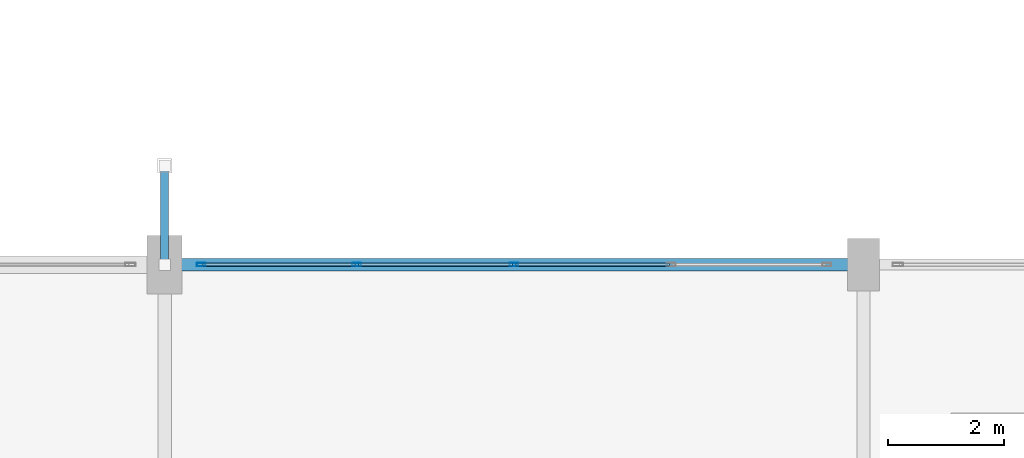
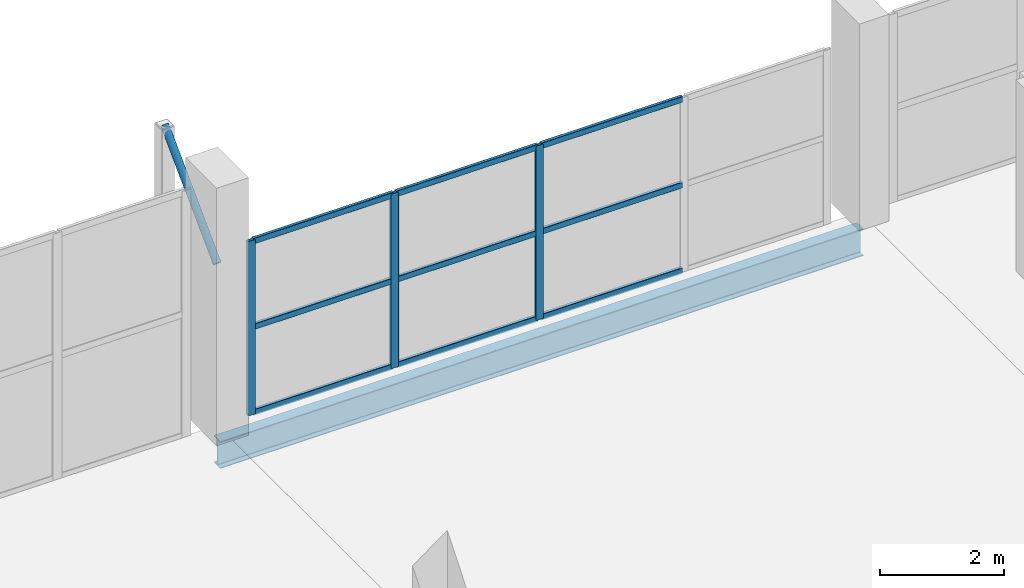
# One storey, part 66 of 127: 13 members, 1 beam, 1 element without a shape of its own.
"""IFC4 building model written with IfcOpenShell, lengths in metres."""

from ifc_helpers import new_model, si_unit, direction, frame, origin, origin_2d, place, context, subcontext, project, spatial, hollow_rectangle, hollow_circle, i_section, extrude, material, layer, layer_set, material_profile, profile_set, type_object, element, aggregate, save


model = new_model("IFC4")

# Units and contexts
model_context = context("Model", 3, precision=1e-05, world=origin(), true_north=direction((0.0, 1.0)))
body_context = subcontext(model_context, "Body", "Model", "MODEL_VIEW")
ifc_project = project(units=[si_unit("LENGTHUNIT", "METRE"), si_unit("AREAUNIT", "SQUARE_METRE"), si_unit("VOLUMEUNIT", "CUBIC_METRE"), si_unit("PLANEANGLEUNIT", "RADIAN"), si_unit("MASSUNIT", "GRAM", prefix="KILO")], contexts=[model_context])

# Site, building, storey
site_placement = place(None, origin())
site = spatial("IfcSite", under=ifc_project, at=site_placement, CompositionType="ELEMENT")
building_placement = place(site_placement, origin())
building = spatial("IfcBuilding", under=site, at=building_placement, Name="Dunvalen Ferry Terminal", CompositionType="ELEMENT")
storey_placement = place(building_placement, frame((0.0, 0.0, 5.760009765625)))
storey = spatial("IfcBuildingStorey", under=building, at=storey_placement, Name="L01", CompositionType="ELEMENT", Elevation=5.760009765625)

# Curtain wall, members
ifc_material_1 = material(Name="Anodised marine aluminium and solar-control glazing", Category="aluminium")
ifc_layer = layer(ifc_material_1, 0.159912109375, Name="Anodised marine aluminium and solar-control glazing")
ifc_layer_set = layer_set([ifc_layer], Name="Anodised marine aluminium and solar-control glazing")
curtain_wall_type = type_object("IfcCurtainWallType", Name="ENV-CW-SYS-09", PredefinedType="NOTDEFINED", material=ifc_layer_set)
curtain_wall_placement = place(storey_placement, origin())
curtain_wall = element("IfcCurtainWall", 1, at=curtain_wall_placement, inside=storey, type_object=curtain_wall_type, Name="L01 Curtain Wall CW-LNK12-2", PredefinedType="NOTDEFINED")
ifc_material_2 = material(Name="Anodised marine aluminium EN AW-6063 T6", Category="aluminium")
ifc_material_profile_1 = material_profile(ifc_material_2, hollow_rectangle(XDim=0.06005859375, YDim=0.14990234375, WallThickness=0.00341796875, InnerFilletRadius=0.00341796875, OuterFilletRadius=0.007080078125, at=origin_2d()), Name="Anodised marine aluminium EN AW-6063 T6")
ifc_profile_set_1 = profile_set([ifc_material_profile_1], Name="Anodised marine aluminium EN AW-6063 T6")
member_type_1 = type_object("IfcMemberType", Name="ENV-CW-MUL-3", PredefinedType="MULLION", material=ifc_profile_set_1)
member_1_placement = place(storey_placement, frame((96.6298828125, 86.39990234375, 0.0), z_axis=(0.0, 0.0, 1.0), x_axis=(0.0, 1.0, 0.0)))
member_1 = element("IfcMember", 2, at=member_1_placement, type_object=member_type_1, Name="CW-09 mullion 1", PredefinedType="MULLION", context=body_context, shape_type="SweptSolid", body=[
    extrude(hollow_rectangle(XDim=0.06005859375, YDim=0.14990234375, WallThickness=0.00341796875, InnerFilletRadius=0.00341796875, OuterFilletRadius=0.007080078125, at=origin_2d()), origin(), (0.0, 0.0, 1.0), 3.43994140625),
])
member_2_placement = place(storey_placement, frame((99.300048828125, 86.39990234375, 0.0), z_axis=(0.0, 0.0, 1.0), x_axis=(0.0, 1.0, 0.0)))
member_2 = element("IfcMember", 3, at=member_2_placement, type_object=member_type_1, Name="CW-09 mullion 2", PredefinedType="MULLION", context=body_context, shape_type="SweptSolid", body=[
    extrude(hollow_rectangle(XDim=0.06005859375, YDim=0.14990234375, WallThickness=0.00341796875, InnerFilletRadius=0.00341796875, OuterFilletRadius=0.007080078125, at=origin_2d()), origin(), (0.0, 0.0, 1.0), 3.43994140625),
])
member_3_placement = place(storey_placement, frame((102.0, 86.39990234375, 0.0), z_axis=(0.0, 0.0, 1.0), x_axis=(0.0, 1.0, 0.0)))
member_3 = element("IfcMember", 4, at=member_3_placement, type_object=member_type_1, Name="CW-09 mullion 3", PredefinedType="MULLION", context=body_context, shape_type="SweptSolid", body=[
    extrude(hollow_rectangle(XDim=0.06005859375, YDim=0.14990234375, WallThickness=0.00341796875, InnerFilletRadius=0.00341796875, OuterFilletRadius=0.007080078125, at=origin_2d()), origin(), (0.0, 0.0, 1.0), 3.43994140625),
])
ifc_material_profile_2 = material_profile(ifc_material_2, hollow_rectangle(XDim=0.06005859375, YDim=0.114990234375, WallThickness=0.0029296875, InnerFilletRadius=0.0029296875, OuterFilletRadius=0.006103515625, at=origin_2d()), Name="Anodised marine aluminium EN AW-6063 T6")
ifc_profile_set_2 = profile_set([ifc_material_profile_2], Name="Anodised marine aluminium EN AW-6063 T6")
member_type_2 = type_object("IfcMemberType", Name="ENV-CW-TRN-3", PredefinedType="USERDEFINED", material=ifc_profile_set_2)
member_4_placement = place(storey_placement, frame((96.659912109375, 86.39990234375, 0.030029296875), z_axis=(1.0, 0.0, 0.0), x_axis=(0.0, 1.0, 0.0)))
member_4 = element("IfcMember", 5, at=member_4_placement, type_object=member_type_2, Name="CW-09 transom 1.1", ObjectType="TRANSOM", PredefinedType="USERDEFINED", context=body_context, shape_type="SweptSolid", body=[
    extrude(hollow_rectangle(XDim=0.06005859375, YDim=0.114990234375, WallThickness=0.0029296875, InnerFilletRadius=0.0029296875, OuterFilletRadius=0.006103515625, at=origin_2d()), origin(), (0.0, 0.0, 1.0), 2.610107421875),
])
member_5_placement = place(storey_placement, frame((96.659912109375, 86.39990234375, 1.719970703125), z_axis=(1.0, 0.0, 0.0), x_axis=(0.0, 1.0, 0.0)))
member_5 = element("IfcMember", 6, at=member_5_placement, type_object=member_type_2, Name="CW-09 transom 1.2", ObjectType="TRANSOM", PredefinedType="USERDEFINED", context=body_context, shape_type="SweptSolid", body=[
    extrude(hollow_rectangle(XDim=0.06005859375, YDim=0.114990234375, WallThickness=0.0029296875, InnerFilletRadius=0.0029296875, OuterFilletRadius=0.006103515625, at=origin_2d()), origin(), (0.0, 0.0, 1.0), 2.610107421875),
])
member_6_placement = place(storey_placement, frame((96.659912109375, 86.39990234375, 3.409912109375), z_axis=(1.0, 0.0, 0.0), x_axis=(0.0, 1.0, 0.0)))
member_6 = element("IfcMember", 7, at=member_6_placement, type_object=member_type_2, Name="CW-09 transom 1.3", ObjectType="TRANSOM", PredefinedType="USERDEFINED", context=body_context, shape_type="SweptSolid", body=[
    extrude(hollow_rectangle(XDim=0.06005859375, YDim=0.114990234375, WallThickness=0.0029296875, InnerFilletRadius=0.0029296875, OuterFilletRadius=0.006103515625, at=origin_2d()), origin(), (0.0, 0.0, 1.0), 2.610107421875),
])
member_7_placement = place(storey_placement, frame((99.330078125, 86.39990234375, 0.030029296875), z_axis=(1.0, 0.0, 0.0), x_axis=(0.0, 1.0, 0.0)))
member_7 = element("IfcMember", 8, at=member_7_placement, type_object=member_type_2, Name="CW-09 transom 2.1", ObjectType="TRANSOM", PredefinedType="USERDEFINED", context=body_context, shape_type="SweptSolid", body=[
    extrude(hollow_rectangle(XDim=0.06005859375, YDim=0.114990234375, WallThickness=0.0029296875, InnerFilletRadius=0.0029296875, OuterFilletRadius=0.006103515625, at=origin_2d()), origin(), (0.0, 0.0, 1.0), 2.639892578125),
])
member_8_placement = place(storey_placement, frame((99.330078125, 86.39990234375, 1.719970703125), z_axis=(1.0, 0.0, 0.0), x_axis=(0.0, 1.0, 0.0)))
member_8 = element("IfcMember", 9, at=member_8_placement, type_object=member_type_2, Name="CW-09 transom 2.2", ObjectType="TRANSOM", PredefinedType="USERDEFINED", context=body_context, shape_type="SweptSolid", body=[
    extrude(hollow_rectangle(XDim=0.06005859375, YDim=0.114990234375, WallThickness=0.0029296875, InnerFilletRadius=0.0029296875, OuterFilletRadius=0.006103515625, at=origin_2d()), origin(), (0.0, 0.0, 1.0), 2.639892578125),
])
member_9_placement = place(storey_placement, frame((99.330078125, 86.39990234375, 3.409912109375), z_axis=(1.0, 0.0, 0.0), x_axis=(0.0, 1.0, 0.0)))
member_9 = element("IfcMember", 10, at=member_9_placement, type_object=member_type_2, Name="CW-09 transom 2.3", ObjectType="TRANSOM", PredefinedType="USERDEFINED", context=body_context, shape_type="SweptSolid", body=[
    extrude(hollow_rectangle(XDim=0.06005859375, YDim=0.114990234375, WallThickness=0.0029296875, InnerFilletRadius=0.0029296875, OuterFilletRadius=0.006103515625, at=origin_2d()), origin(), (0.0, 0.0, 1.0), 2.639892578125),
])
member_10_placement = place(storey_placement, frame((102.030029296875, 86.39990234375, 0.030029296875), z_axis=(1.0, 0.0, 0.0), x_axis=(0.0, 1.0, 0.0)))
member_10 = element("IfcMember", 11, at=member_10_placement, type_object=member_type_2, Name="CW-09 transom 3.1", ObjectType="TRANSOM", PredefinedType="USERDEFINED", context=body_context, shape_type="SweptSolid", body=[
    extrude(hollow_rectangle(XDim=0.06005859375, YDim=0.114990234375, WallThickness=0.0029296875, InnerFilletRadius=0.0029296875, OuterFilletRadius=0.006103515625, at=origin_2d()), origin(), (0.0, 0.0, 1.0), 2.639892578125),
])
member_11_placement = place(storey_placement, frame((102.030029296875, 86.39990234375, 1.719970703125), z_axis=(1.0, 0.0, 0.0), x_axis=(0.0, 1.0, 0.0)))
member_11 = element("IfcMember", 12, at=member_11_placement, type_object=member_type_2, Name="CW-09 transom 3.2", ObjectType="TRANSOM", PredefinedType="USERDEFINED", context=body_context, shape_type="SweptSolid", body=[
    extrude(hollow_rectangle(XDim=0.06005859375, YDim=0.114990234375, WallThickness=0.0029296875, InnerFilletRadius=0.0029296875, OuterFilletRadius=0.006103515625, at=origin_2d()), origin(), (0.0, 0.0, 1.0), 2.639892578125),
])
member_12_placement = place(storey_placement, frame((102.030029296875, 86.39990234375, 3.409912109375), z_axis=(1.0, 0.0, 0.0), x_axis=(0.0, 1.0, 0.0)))
member_12 = element("IfcMember", 13, at=member_12_placement, type_object=member_type_2, Name="CW-09 transom 3.3", ObjectType="TRANSOM", PredefinedType="USERDEFINED", context=body_context, shape_type="SweptSolid", body=[
    extrude(hollow_rectangle(XDim=0.06005859375, YDim=0.114990234375, WallThickness=0.0029296875, InnerFilletRadius=0.0029296875, OuterFilletRadius=0.006103515625, at=origin_2d()), origin(), (0.0, 0.0, 1.0), 2.639892578125),
])
aggregate(curtain_wall, [member_1, member_2, member_3, member_4, member_5, member_6, member_7, member_8, member_9, member_10, member_11, member_12])

# Beam
ifc_material_3 = material(Name="Steel S355", Category="steel")
ifc_material_profile_3 = material_profile(ifc_material_3, i_section(OverallWidth=0.209228515625, OverallDepth=0.533203125, WebThickness=0.010009765625, FlangeThickness=0.015625, FilletRadius=0.0126953125, at=origin_2d()), Name="Steel S355")
ifc_profile_set_3 = profile_set([ifc_material_profile_3], Name="Steel S355")
beam_type = type_object("IfcBeamType", Name="STR-BM-UKB533", PredefinedType="BEAM", material=ifc_profile_set_3)
beam_placement = place(storey_placement, frame((96.0, 86.39990234375, -0.530029296875), z_axis=(1.0, 0.0, 0.0), x_axis=(0.0, 1.0, 0.0)))
element("IfcBeam", 14, at=beam_placement, inside=storey, type_object=beam_type, Name="L01 Concourse Link Bridge Girder 3", PredefinedType="BEAM", context=body_context, shape_type="SweptSolid", body=[
    extrude(i_section(OverallWidth=0.209228515625, OverallDepth=0.533203125, WebThickness=0.010009765625, FlangeThickness=0.015625, FilletRadius=0.0126953125, at=origin_2d()), origin(), (0.0, 0.0, 1.0), 12.0),
])

# Member
ifc_material_profile_4 = material_profile(ifc_material_3, hollow_circle(Radius=0.06982421875, WallThickness=0.00634765625, at=origin_2d()), Name="Steel S355")
ifc_profile_set_4 = profile_set([ifc_material_profile_4], Name="Steel S355")
member_type_3 = type_object("IfcMemberType", Name="STR-MB-CHS139", PredefinedType="BRACE", material=ifc_profile_set_4)
member_13_placement = place(storey_placement, frame((96.0, 86.39990234375, 3.18994140625), z_axis=(0.0, 0.705078956609, 0.709128807021), x_axis=(-1.0, 0.0, 0.0)))
element("IfcMember", 15, at=member_13_placement, inside=storey, type_object=member_type_3, Name="Departure Hall North Eave Knee Strut 15", PredefinedType="BRACE", context=body_context, shape_type="SweptSolid", body=[
    extrude(hollow_circle(Radius=0.06982421875, WallThickness=0.00634765625, at=origin_2d()), origin(), (0.0, 0.0, 1.0), 2.411376953125),
])

save(model, "model.ifc")
